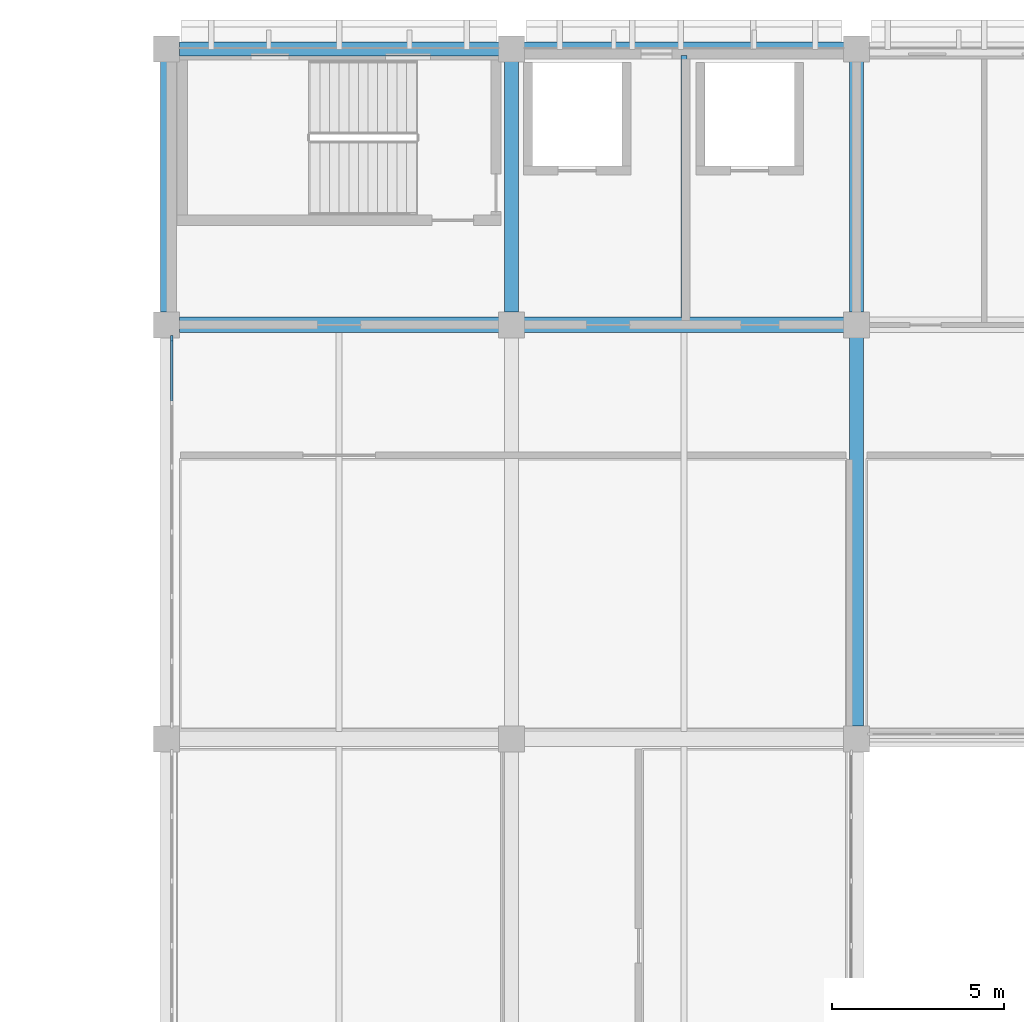
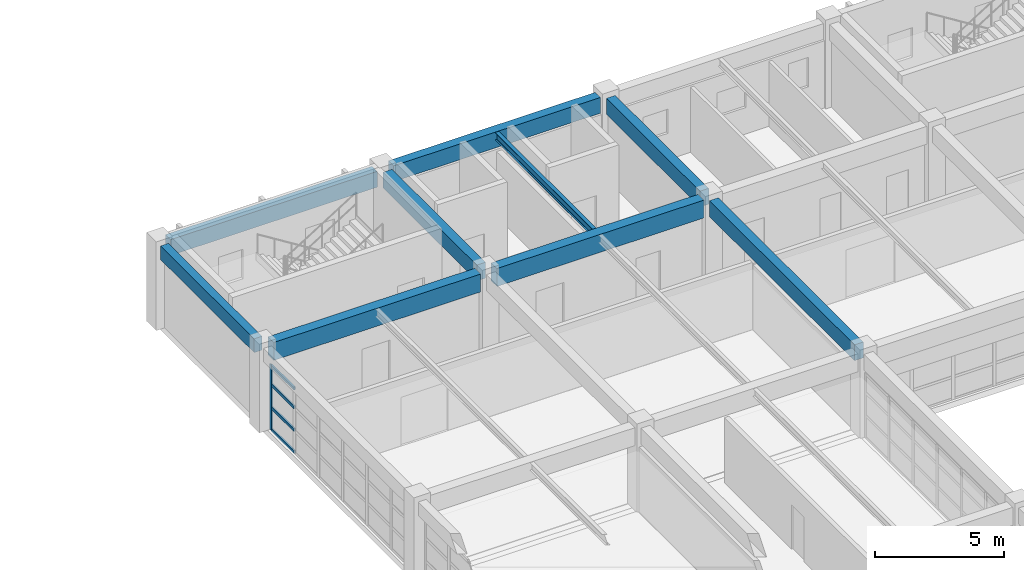
# One storey, part 34 of 83: 9 beams, 5 members, 1 element without a shape of its own.
"""IFC4 building model written with IfcOpenShell, lengths in metres."""

from ifc_helpers import new_model, si_unit, direction, frame, origin, origin_2d, place, context, subcontext, project, spatial, rectangle, i_section, extrude, material, layer, layer_set, material_profile, profile_set, type_object, element, aggregate, save


model = new_model("IFC4")

# Units and contexts
model_context = context("Model", 3, precision=1e-05, world=origin(), true_north=direction((0.0, 1.0)))
body_context = subcontext(model_context, "Body", "Model", "MODEL_VIEW")
ifc_project = project(units=[si_unit("LENGTHUNIT", "METRE"), si_unit("AREAUNIT", "SQUARE_METRE"), si_unit("VOLUMEUNIT", "CUBIC_METRE"), si_unit("PLANEANGLEUNIT", "RADIAN"), si_unit("MASSUNIT", "GRAM", prefix="KILO")], contexts=[model_context])

# Site, building, storey
site_placement = place(None, origin())
site = spatial("IfcSite", under=ifc_project, at=site_placement, CompositionType="ELEMENT")
building_placement = place(site_placement, origin())
building = spatial("IfcBuilding", under=site, at=building_placement, Name="Kivolera Central Railway Station", CompositionType="ELEMENT")
storey_placement = place(building_placement, frame((0.0, 0.0, 14.39990234375)))
storey = spatial("IfcBuildingStorey", under=building, at=storey_placement, Name="L03", CompositionType="ELEMENT", Elevation=14.39990234375)

# Beams
ifc_material_1 = material(Name="Steel S355", Category="steel")
ifc_material_profile_1 = material_profile(ifc_material_1, i_section(OverallWidth=0.169921875, OverallDepth=0.360107421875, WebThickness=0.008056640625, FlangeThickness=0.0126953125, FilletRadius=0.01806640625, at=origin_2d()), Name="IPE 360")
ifc_profile_set_1 = profile_set([ifc_material_profile_1], Name="Steel S355")
beam_type_1 = type_object("IfcBeamType", Name="BM-JST-IPE360", PredefinedType="JOIST", material=ifc_profile_set_1)
beam_1_placement = place(storey_placement, frame((133.0, 126.217041015625, 3.748046875), z_axis=(0.0, 1.0, 0.0), x_axis=(-1.0, 0.0, 0.0)))
element("IfcBeam", 1, at=beam_1_placement, inside=storey, type_object=beam_type_1, Name="L03 Floor Joist 13-14/L-M", PredefinedType="JOIST", context=body_context, shape_type="SweptSolid", body=[
    extrude(i_section(OverallWidth=0.169921875, OverallDepth=0.360107421875, WebThickness=0.008056640625, FlangeThickness=0.0126953125, FilletRadius=0.01806640625, at=origin_2d()), origin(), (0.0, 0.0, 1.0), 7.591064453125),
])
ifc_material_2 = material(Name="Concrete C40/50", Category="concrete")
ifc_material_profile_2 = material_profile(ifc_material_2, rectangle(XDim=0.39990234375, YDim=0.75, at=origin_2d()), Name="RC 400x750")
ifc_profile_set_2 = profile_set([ifc_material_profile_2], Name="Concrete C40/50")
beam_type_2 = type_object("IfcBeamType", Name="BM-RC-400x750", PredefinedType="BEAM", material=ifc_profile_set_2)
beam_2_placement = place(storey_placement, frame((128.0, 126.366943359375, 3.565185546875), z_axis=(0.0, 1.0, 0.0), x_axis=(-1.0, 0.0, 0.0)))
element("IfcBeam", 2, at=beam_2_placement, inside=storey, type_object=beam_type_2, Name="L03 Wing Y-Beam 13:L-M", PredefinedType="BEAM", context=body_context, shape_type="SweptSolid", body=[
    extrude(rectangle(XDim=0.39990234375, YDim=0.75, at=origin_2d()), origin(), (0.0, 0.0, 1.0), 7.26611328125),
])
beam_3_placement = place(storey_placement, frame((138.0, 114.366943359375, 3.565185546875), z_axis=(0.0, 1.0, 0.0), x_axis=(-1.0, 0.0, 0.0)))
element("IfcBeam", 3, at=beam_3_placement, inside=storey, type_object=beam_type_2, Name="L03 Wing Y-Beam 14:K-L", PredefinedType="BEAM", context=body_context, shape_type="SweptSolid", body=[
    extrude(rectangle(XDim=0.39990234375, YDim=0.75, at=origin_2d()), origin(), (0.0, 0.0, 1.0), 11.26611328125),
])
beam_4_placement = place(storey_placement, frame((138.0, 126.366943359375, 3.565185546875), z_axis=(0.0, 1.0, 0.0), x_axis=(-1.0, 0.0, 0.0)))
element("IfcBeam", 4, at=beam_4_placement, inside=storey, type_object=beam_type_2, Name="L03 Wing Y-Beam 14:L-M", PredefinedType="BEAM", context=body_context, shape_type="SweptSolid", body=[
    extrude(rectangle(XDim=0.39990234375, YDim=0.75, at=origin_2d()), origin(), (0.0, 0.0, 1.0), 7.26611328125),
])
ifc_material_profile_3 = material_profile(ifc_material_2, rectangle(XDim=0.449951171875, YDim=0.85009765625, at=origin_2d()), Name="RC 450x850")
ifc_profile_set_3 = profile_set([ifc_material_profile_3], Name="Concrete C40/50")
beam_type_3 = type_object("IfcBeamType", Name="BM-RC-450x850", PredefinedType="BEAM", material=ifc_profile_set_3)
for number, where, z_axis, x_axis, name in (
    (5, (118.366943359375, 126.0, 3.51513671875), (1.0, 0.0, 0.0), (0.0, 1.0, 0.0), "L03 Wing X-Beam L:12-13"),
    (6, (128.366943359375, 126.0, 3.51513671875), (1.0, 0.0, 0.0), (0.0, 1.0, 0.0), "L03 Wing X-Beam L:13-14"),
):
    element("IfcBeam", number, at=place(storey_placement, frame(where, z_axis=z_axis, x_axis=x_axis)), inside=storey, type_object=beam_type_3, Name=name, PredefinedType="BEAM", context=body_context, shape_type="SweptSolid", body=[
        extrude(rectangle(XDim=0.449951171875, YDim=0.85009765625, at=origin_2d()), origin(), (0.0, 0.0, 1.0), 9.26611328125),
    ])
ifc_material_profile_4 = material_profile(ifc_material_2, rectangle(XDim=0.35009765625, YDim=0.64990234375, at=origin_2d()), Name="RC 350x650")
ifc_profile_set_4 = profile_set([ifc_material_profile_4], Name="Concrete C40/50")
beam_type_4 = type_object("IfcBeamType", Name="BM-SPN-RC650", PredefinedType="SPANDREL", material=ifc_profile_set_4)
beam_5_placement = place(storey_placement, frame((118.0, 126.366943359375, 3.614990234375), z_axis=(0.0, 1.0, 0.0), x_axis=(-1.0, 0.0, 0.0)))
element("IfcBeam", 7, at=beam_5_placement, inside=storey, type_object=beam_type_4, Name="L03 Wing Y-Beam 12:L-M", PredefinedType="SPANDREL", context=body_context, shape_type="SweptSolid", body=[
    extrude(rectangle(XDim=0.35009765625, YDim=0.64990234375, at=origin_2d()), origin(), (0.0, 0.0, 1.0), 7.26611328125),
])
ifc_material_profile_5 = material_profile(ifc_material_2, rectangle(XDim=0.39990234375, YDim=0.75, at=origin_2d()), Name="RC 400x750")
ifc_profile_set_5 = profile_set([ifc_material_profile_5], Name="Concrete C40/50")
beam_type_5 = type_object("IfcBeamType", Name="BM-SPN-RC750", PredefinedType="SPANDREL", material=ifc_profile_set_5)
for number, where, z_axis, x_axis, name in (
    (8, (118.366943359375, 134.0, 3.565185546875), (1.0, 0.0, 0.0), (0.0, 1.0, 0.0), "L03 Wing X-Beam M:12-13"),
    (9, (128.366943359375, 134.0, 3.565185546875), (1.0, 0.0, 0.0), (0.0, 1.0, 0.0), "L03 Wing X-Beam M:13-14"),
):
    element("IfcBeam", number, at=place(storey_placement, frame(where, z_axis=z_axis, x_axis=x_axis)), inside=storey, type_object=beam_type_5, Name=name, PredefinedType="SPANDREL", context=body_context, shape_type="SweptSolid", body=[
        extrude(rectangle(XDim=0.39990234375, YDim=0.75, at=origin_2d()), origin(), (0.0, 0.0, 1.0), 9.26611328125),
    ])

# Curtain wall, members
ifc_material_3 = material(Name="Anodised aluminium", Category="aluminium")
ifc_layer = layer(ifc_material_3, 0.179931640625, Name="Anodised aluminium")
ifc_layer_set = layer_set([ifc_layer], Name="Anodised aluminium")
curtain_wall_type = type_object("IfcCurtainWallType", Name="CW-SYS-30", PredefinedType="NOTDEFINED", material=ifc_layer_set)
curtain_wall_placement = place(storey_placement, origin())
curtain_wall = element("IfcCurtainWall", 10, at=curtain_wall_placement, inside=storey, type_object=curtain_wall_type, Name="L03 Curtain Wall CW-L03-WEST-K", PredefinedType="NOTDEFINED")
ifc_material_profile_6 = material_profile(ifc_material_3, rectangle(XDim=0.070068359375, YDim=0.179931640625, at=origin_2d()), Name="ALU MULL 70x180")
ifc_profile_set_6 = profile_set([ifc_material_profile_6], Name="Anodised aluminium")
member_type_1 = type_object("IfcMemberType", Name="CWM-MUL-1", PredefinedType="MULLION", material=ifc_profile_set_6)
member_1_placement = place(storey_placement, frame((118.14501953125, 125.594970703125, -0.0048828125), z_axis=(0.0, 0.0, 1.0), x_axis=(-1.0, 0.0, 0.0)))
member_1 = element("IfcMember", 11, at=member_1_placement, type_object=member_type_1, Name="CW-30 mullion 7", PredefinedType="MULLION", context=body_context, shape_type="SweptSolid", body=[
    extrude(rectangle(XDim=0.070068359375, YDim=0.179931640625, at=origin_2d()), origin(), (0.0, 0.0, 1.0), 3.0830078125),
])
ifc_material_profile_7 = material_profile(ifc_material_3, rectangle(XDim=0.070068359375, YDim=0.139892578125, at=origin_2d()), Name="ALU TRAN 70x140")
ifc_profile_set_7 = profile_set([ifc_material_profile_7], Name="Anodised aluminium")
member_type_2 = type_object("IfcMemberType", Name="CWM-TRN-1", PredefinedType="USERDEFINED", material=ifc_profile_set_7)
member_2_placement = place(storey_placement, frame((118.14501953125, 123.788330078125, 0.03515625), z_axis=(0.0, 1.0, 0.0), x_axis=(-1.0, 0.0, 0.0)))
member_2 = element("IfcMember", 12, at=member_2_placement, type_object=member_type_2, Name="CW-30 transom 6.1", ObjectType="TRANSOM", PredefinedType="USERDEFINED", context=body_context, shape_type="SweptSolid", body=[
    extrude(rectangle(XDim=0.070068359375, YDim=0.139892578125, at=origin_2d()), origin(), (0.0, 0.0, 1.0), 1.771728515625),
])
member_3_placement = place(storey_placement, frame((118.14501953125, 123.788330078125, 1.077392578125), z_axis=(0.0, 1.0, 0.0), x_axis=(-1.0, 0.0, 0.0)))
member_3 = element("IfcMember", 13, at=member_3_placement, type_object=member_type_2, Name="CW-30 transom 6.2", ObjectType="TRANSOM", PredefinedType="USERDEFINED", context=body_context, shape_type="SweptSolid", body=[
    extrude(rectangle(XDim=0.070068359375, YDim=0.139892578125, at=origin_2d()), origin(), (0.0, 0.0, 1.0), 1.771728515625),
])
member_4_placement = place(storey_placement, frame((118.14501953125, 123.788330078125, 2.15478515625), z_axis=(0.0, 1.0, 0.0), x_axis=(-1.0, 0.0, 0.0)))
member_4 = element("IfcMember", 14, at=member_4_placement, type_object=member_type_2, Name="CW-30 transom 6.3", ObjectType="TRANSOM", PredefinedType="USERDEFINED", context=body_context, shape_type="SweptSolid", body=[
    extrude(rectangle(XDim=0.070068359375, YDim=0.139892578125, at=origin_2d()), origin(), (0.0, 0.0, 1.0), 1.771728515625),
])
member_5_placement = place(storey_placement, frame((118.14501953125, 123.788330078125, 3.043212890625), z_axis=(0.0, 1.0, 0.0), x_axis=(-1.0, 0.0, 0.0)))
member_5 = element("IfcMember", 15, at=member_5_placement, type_object=member_type_2, Name="CW-30 transom 6.4", ObjectType="TRANSOM", PredefinedType="USERDEFINED", context=body_context, shape_type="SweptSolid", body=[
    extrude(rectangle(XDim=0.070068359375, YDim=0.139892578125, at=origin_2d()), origin(), (0.0, 0.0, 1.0), 1.771728515625),
])
aggregate(curtain_wall, [member_1, member_2, member_3, member_4, member_5])

save(model, "model.ifc")
